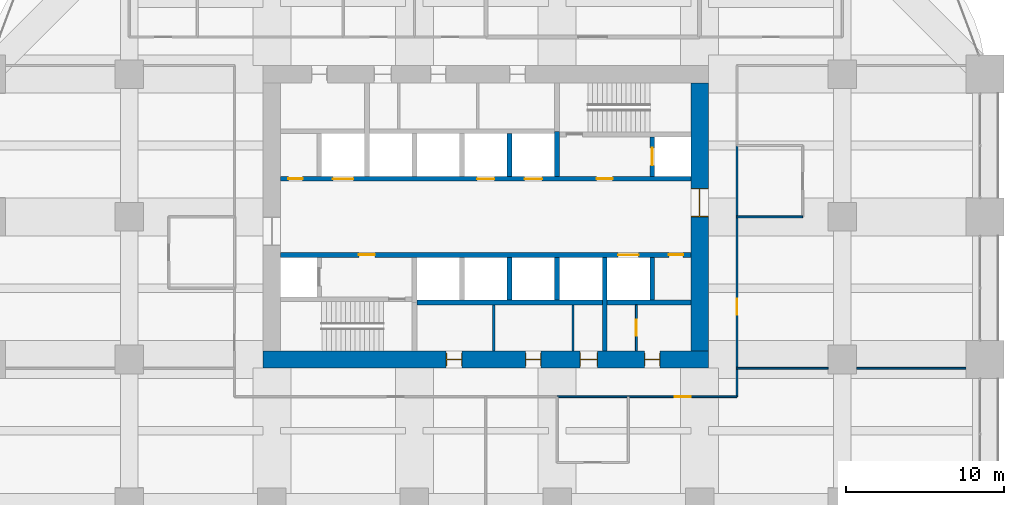
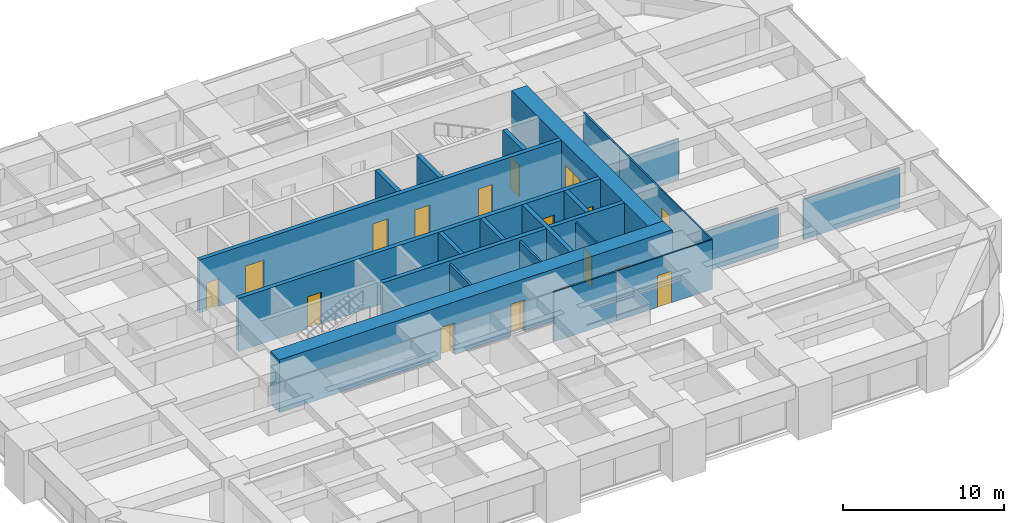
# One storey, part 39 of 42: 22 walls, 17 doors, 17 openings.
"""IFC4 building model written with IfcOpenShell, lengths in metres."""

import ifcopenshell
import ifcopenshell.guid

model = None  # the IFC model being written
_history = None  # IfcOwnerHistory: only IFC2X3 demands one
_inside = {}  # id of a spatial element -> (the spatial element, [elements in it])
_under = {}  # id of a project, library or spatial element -> (it, [spatial elements below it])
_declared = {}  # id of a project -> (the project, [libraries it declares])
_typed = {}  # id of a type object -> (the type object, [elements of that type])
_made_of = {}  # id of a material, layer set ... -> (it, [elements and type objects made of it])


def new_model(schema):
    """Start an empty IFC model of exactly this schema.

    Asked for "IFC4X3", IfcOpenShell would pick the latest addendum, in which some entities
    have other attributes; the version numbers below select the first issue.
    IFC2X3 requires an IfcOwnerHistory on every rooted entity: one is made here for all.
    """
    global model, _history
    if schema == "IFC4X3":
        model = ifcopenshell.file(schema_version=(4, 3, 0, 0))
    else:
        model = ifcopenshell.file(schema=schema)
    _inside.clear()
    _under.clear()
    _declared.clear()
    _typed.clear()
    _made_of.clear()
    _history = None
    if model.schema == "IFC2X3":
        org = make("IfcOrganization", Name="unknown")
        user = make(
            "IfcPersonAndOrganization",
            ThePerson=make("IfcPerson", FamilyName="unknown"),
            TheOrganization=org,
        )
        app = make(
            "IfcApplication",
            ApplicationDeveloper=org,
            Version="unknown",
            ApplicationFullName="unknown",
            ApplicationIdentifier="unknown",
        )
        _history = make(
            "IfcOwnerHistory",
            OwningUser=user,
            OwningApplication=app,
            ChangeAction="ADDED",
            CreationDate=0,
        )
    return model


def make(cls, **values):
    """One entity of the class cls with the attributes given. An attribute that is None is left unset."""
    return model.create_entity(
        cls, **{name: value for name, value in values.items() if value is not None}
    )


def rooted(cls, **values):
    """An entity with a GlobalId (a new one), such as an element, a storey or a relation."""
    return make(cls, GlobalId=ifcopenshell.guid.new(), OwnerHistory=_history, **values)


def si_unit(unit_type, name, prefix=None):
    """IfcSIUnit, for example si_unit("LENGTHUNIT", "METRE", prefix="MILLI")."""
    return make("IfcSIUnit", UnitType=unit_type, Prefix=prefix, Name=name)


def assignment(units):
    """IfcUnitAssignment: the units of a project."""
    return None if units is None else make("IfcUnitAssignment", Units=units)


def point(xyz):
    """IfcCartesianPoint."""
    return None if xyz is None else make("IfcCartesianPoint", Coordinates=xyz)


def direction(xyz):
    """IfcDirection."""
    return None if xyz is None else make("IfcDirection", DirectionRatios=xyz)


def frame(location, z_axis=None, x_axis=None):
    """IfcAxis2Placement3D, a coordinate frame: its origin and axes. An axis left out is left unset."""
    return make(
        "IfcAxis2Placement3D",
        Location=point(location),
        Axis=direction(z_axis),
        RefDirection=direction(x_axis),
    )


def frame_2d(location, x_axis=None):
    """IfcAxis2Placement2D, a coordinate frame in the plane: its origin and x axis."""
    return make(
        "IfcAxis2Placement2D", Location=point(location), RefDirection=direction(x_axis)
    )


def origin():
    """The frame at (0, 0, 0) with its axes left unset."""
    return frame((0.0, 0.0, 0.0))


def place(relative_to, where):
    """IfcLocalPlacement: puts the frame where relative to a parent placement (None: the world)."""
    return make(
        "IfcLocalPlacement", PlacementRelTo=relative_to, RelativePlacement=where
    )


def context(
    kind, dimensions, precision=None, world=None, true_north=None, identifier=None
):
    """IfcGeometricRepresentationContext, for example the 3D "Model" context."""
    return make(
        "IfcGeometricRepresentationContext",
        ContextIdentifier=identifier,
        ContextType=kind,
        CoordinateSpaceDimension=dimensions,
        Precision=precision,
        WorldCoordinateSystem=world,
        TrueNorth=true_north,
    )


def subcontext(parent, identifier, kind, view, scale=None):
    """IfcGeometricRepresentationSubContext, for example "Body" below "Model"."""
    return make(
        "IfcGeometricRepresentationSubContext",
        ContextIdentifier=identifier,
        ContextType=kind,
        ParentContext=parent,
        TargetScale=scale,
        TargetView=view,
    )


def project(units=None, contexts=None):
    """IfcProject with its units and contexts."""
    return rooted(
        "IfcProject",
        Name="project",
        RepresentationContexts=contexts,
        UnitsInContext=assignment(units),
    )


def spatial(cls, under=None, at=None, **own):
    """A site, building, storey or space (cls), placed at a placement, below another one or the project."""
    s = rooted(cls, ObjectPlacement=at, **own)
    if under is not None:
        _under.setdefault(under.id(), (under, []))[1].append(s)
    return s


def profile(cls, at=None, kind="AREA", **sizes):
    """A parametric profile (cls). Its sizes go by their IFC names, for example OverallWidth=200.0."""
    return make(cls, ProfileType=kind, Position=at, **sizes)


def rectangle(**sizes):
    """IfcRectangleProfileDef."""
    return profile("IfcRectangleProfileDef", **sizes)


def extrude(swept, where, along, depth):
    """IfcExtrudedAreaSolid: the profile swept, set in the frame where, extruded along a direction by depth."""
    return make(
        "IfcExtrudedAreaSolid",
        SweptArea=swept,
        Position=where,
        ExtrudedDirection=direction(along),
        Depth=depth,
    )


def shape(context_of_items, identifier, shape_type, items):
    """IfcShapeRepresentation: the items that make up one representation, for example the "Body"."""
    return make(
        "IfcShapeRepresentation",
        ContextOfItems=context_of_items,
        RepresentationIdentifier=identifier,
        RepresentationType=shape_type,
        Items=items,
    )


def material(Name=None, Category=None):
    """IfcMaterial."""
    return make("IfcMaterial", Name=Name, Category=Category)


def layer(
    of_material, thickness, ventilated=None, Name=None, Category=None, Priority=None
):
    """IfcMaterialLayer: one layer of a wall or slab, of a material (None: an air gap)."""
    return make(
        "IfcMaterialLayer",
        Material=of_material,
        LayerThickness=thickness,
        IsVentilated=ventilated,
        Name=Name,
        Category=Category,
        Priority=Priority,
    )


def layer_set(layers, Name=None):
    """IfcMaterialLayerSet."""
    return make("IfcMaterialLayerSet", MaterialLayers=layers, LayerSetName=Name)


def made_of(thing, what):
    """Note that an element or type object is made of a material, layer set ...; save() writes the relation."""
    if what is not None:
        _made_of.setdefault(what.id(), (what, []))[1].append(thing)
    return thing


def type_object(cls, material=None, **own):
    """A type object (cls), such as IfcWallType, which elements share."""
    return made_of(rooted(cls, **own), material)


def element(
    cls,
    number,
    at=None,
    inside=None,
    cuts=None,
    type_object=None,
    material=None,
    context=None,
    identifier="Body",
    shape_type=None,
    held_by="IfcProductDefinitionShape",
    body=None,
    shapes=None,
    **own,
):
    """One element of the class cls, such as IfcWall. Its Tag is "e" and its number.

    at: its placement. inside: the storey or other place that contains it. cuts: it is an
    opening in that element (IfcRelVoidsElement). A single representation is given by context,
    identifier, shape_type and body (its items); several are given by shapes. held_by: the class
    of the entity that holds the representations. save() writes the other relations.
    """
    e = rooted(cls, Tag="e%d" % number, ObjectPlacement=at, **own)
    if body is not None:
        shapes = [shape(context, identifier, shape_type, body)]
    if shapes is not None:
        e.Representation = make(held_by, Representations=shapes)
    if inside is not None:
        _inside.setdefault(inside.id(), (inside, []))[1].append(e)
    if cuts is not None:
        rooted(
            "IfcRelVoidsElement", RelatingBuildingElement=cuts, RelatedOpeningElement=e
        )
    if type_object is not None:
        _typed.setdefault(type_object.id(), (type_object, []))[1].append(e)
    return made_of(e, material)


def fill(opening, filler):
    """IfcRelFillsElement: the door or window that sits in an opening."""
    return rooted(
        "IfcRelFillsElement",
        RelatingOpeningElement=opening,
        RelatedBuildingElement=filler,
    )


def aggregate(whole, parts):
    """IfcRelAggregates: a whole, such as a stair, and the parts it consists of."""
    return rooted("IfcRelAggregates", RelatingObject=whole, RelatedObjects=parts)


def save(model, path):
    """Write the relations noted so far, then the file.

    IfcRelAggregates (storeys below a building ...), IfcRelContainedInSpatialStructure (elements
    in a storey), IfcRelDefinesByType, IfcRelAssociatesMaterial and IfcRelDeclares: one each for
    every whole, place, type object, material and project.
    """
    for whole, parts in _under.values():
        aggregate(whole, parts)
    for where, things in _inside.values():
        rooted(
            "IfcRelContainedInSpatialStructure",
            RelatedElements=things,
            RelatingStructure=where,
        )
    for kind, things in _typed.values():
        rooted("IfcRelDefinesByType", RelatedObjects=things, RelatingType=kind)
    for what, things in _made_of.values():
        rooted("IfcRelAssociatesMaterial", RelatedObjects=things, RelatingMaterial=what)
    for by, libraries in _declared.values():
        rooted("IfcRelDeclares", RelatingContext=by, RelatedDefinitions=libraries)
    model.write(path)


model = new_model("IFC4")

# Units and contexts
model_context = context("Model", 3, precision=1e-05, world=origin(), true_north=direction((0.0, 1.0)))
body_context = subcontext(model_context, "Body", "Model", "MODEL_VIEW")
ifc_project = project(units=[si_unit("LENGTHUNIT", "METRE"), si_unit("AREAUNIT", "SQUARE_METRE"), si_unit("VOLUMEUNIT", "CUBIC_METRE"), si_unit("PLANEANGLEUNIT", "RADIAN"), si_unit("MASSUNIT", "GRAM", prefix="KILO")], contexts=[model_context])

# Site, building, storey
site_placement = place(None, origin())
site = spatial("IfcSite", under=ifc_project, at=site_placement, CompositionType="ELEMENT")
building_placement = place(site_placement, origin())
building = spatial("IfcBuilding", under=site, at=building_placement, Name="Zorevar Civic Tower", CompositionType="ELEMENT")
storey_placement = place(building_placement, frame((0.0, 0.0, 149.0)))
storey = spatial("IfcBuildingStorey", under=building, at=storey_placement, Name="L36", CompositionType="ELEMENT", Elevation=149.0)

# Wall, openings, doors
ifc_material_1 = material(Name="Concrete C50/60", Category="concrete")
ifc_layer_1 = layer(ifc_material_1, 1.10009765625)
ifc_layer_set_1 = layer_set([ifc_layer_1], Name="Core wall 1100")
wall_type_1 = type_object("IfcWallType", Name="Core wall 1100", PredefinedType="SHEAR", material=ifc_layer_set_1)
wall_1_placement = place(storey_placement, frame((17.449951171875, 18.0, 0.0), z_axis=(0.0, 0.0, 1.0), x_axis=(1.0, 0.0, 0.0)))
wall_1 = element("IfcWall", 1, at=wall_1_placement, inside=storey, type_object=wall_type_1, Name="Core wall S L36", PredefinedType="SHEAR", context=body_context, shape_type="SweptSolid", body=[
    extrude(rectangle(XDim=28.10009765625, YDim=1.10009765625, at=frame_2d((14.050048828125, 0.0))), origin(), (0.0, 0.0, 1.0), 4.0),
])
opening_1_placement = place(wall_1_placement, frame((11.550048828125, 0.0, 0.0)))
opening_1 = element("IfcOpeningElement", 2, at=opening_1_placement, cuts=wall_1, Name="Opening L36.03", PredefinedType="OPENING", context=body_context, shape_type="SweptSolid", body=[
    extrude(rectangle(XDim=1.0, YDim=2.39990234375, at=frame_2d((0.5, 1.199951171875))), frame((0.0, 0.56005859375, 0.0), z_axis=(0.0, -1.0, 0.0), x_axis=(1.0, 0.0, 0.0)), (0.0, 0.0, 1.0), 1.1201171875),
])
opening_2_placement = place(wall_1_placement, frame((16.550048828125, 0.0, 0.0)))
opening_2 = element("IfcOpeningElement", 3, at=opening_2_placement, cuts=wall_1, Name="Opening L36.04", PredefinedType="OPENING", context=body_context, shape_type="SweptSolid", body=[
    extrude(rectangle(XDim=1.0, YDim=2.39990234375, at=frame_2d((0.5, 1.199951171875))), frame((0.0, 0.56005859375, 0.0), z_axis=(0.0, -1.0, 0.0), x_axis=(1.0, 0.0, 0.0)), (0.0, 0.0, 1.0), 1.1201171875),
])
opening_3_placement = place(wall_1_placement, frame((20.0, 0.0, 0.0)))
opening_3 = element("IfcOpeningElement", 4, at=opening_3_placement, cuts=wall_1, Name="Opening L36.05", PredefinedType="OPENING", context=body_context, shape_type="SweptSolid", body=[
    extrude(rectangle(XDim=1.10009765625, YDim=2.39990234375, at=frame_2d((0.550048828125, 1.199951171875))), frame((0.0, 0.56005859375, 0.0), z_axis=(0.0, -1.0, 0.0), x_axis=(1.0, 0.0, 0.0)), (0.0, 0.0, 1.0), 1.1201171875),
])
opening_4_placement = place(wall_1_placement, frame((24.050048828125, 0.0, 0.0)))
opening_4 = element("IfcOpeningElement", 5, at=opening_4_placement, cuts=wall_1, Name="Opening L36.06", PredefinedType="OPENING", context=body_context, shape_type="SweptSolid", body=[
    extrude(rectangle(XDim=1.0, YDim=2.39990234375, at=frame_2d((0.5, 1.199951171875))), frame((0.0, 0.56005859375, 0.0), z_axis=(0.0, -1.0, 0.0), x_axis=(1.0, 0.0, 0.0)), (0.0, 0.0, 1.0), 1.1201171875),
])
ifc_material_2 = material(Name="Timber door set", Category="wood")
door_type_1 = type_object("IfcDoorType", Name="Door D1 1000x2400", OperationType="SINGLE_SWING_LEFT", PredefinedType="DOOR", material=ifc_material_2)
door_1_placement = place(opening_1_placement, origin())
door_1 = element("IfcDoor", 6, at=door_1_placement, inside=storey, type_object=door_type_1, Name="Door L36 02", OperationType="SINGLE_SWING_RIGHT", OverallHeight=2.39990234375, OverallWidth=1.0, PredefinedType="DOOR", context=body_context, shape_type="SweptSolid", body=[
    extrude(rectangle(XDim=1.0, YDim=2.39990234375, at=frame_2d((0.5, 1.199951171875))), frame((0.0, 0.02490234375, 0.0), z_axis=(0.0, -1.0, 0.0), x_axis=(1.0, 0.0, 0.0)), (0.0, 0.0, 1.0), 0.050048828125),
    extrude(rectangle(XDim=0.04, YDim=2.39990234375, at=frame_2d((0.02001953125, 1.199951171875))), frame((0.0, 0.39990234375, 0.0), z_axis=(0.0, -1.0, 0.0), x_axis=(1.0, 0.0, 0.0)), (0.0, 0.0, 1.0), 0.800048828125),
    extrude(rectangle(XDim=0.04, YDim=2.39990234375, at=frame_2d((0.97998046875, 1.199951171875))), frame((0.0, 0.39990234375, 0.0), z_axis=(0.0, -1.0, 0.0), x_axis=(1.0, 0.0, 0.0)), (0.0, 0.0, 1.0), 0.800048828125),
    extrude(rectangle(XDim=1.0, YDim=0.04, at=frame_2d((0.5, 2.3798828125))), frame((0.0, 0.39990234375, 0.0), z_axis=(0.0, -1.0, 0.0), x_axis=(1.0, 0.0, 0.0)), (0.0, 0.0, 1.0), 0.800048828125),
])
fill(opening_1, door_1)
door_2_placement = place(opening_2_placement, origin())
door_2 = element("IfcDoor", 7, at=door_2_placement, inside=storey, type_object=door_type_1, Name="Door L36 03", OperationType="SINGLE_SWING_LEFT", OverallHeight=2.39990234375, OverallWidth=1.0, PredefinedType="DOOR", context=body_context, shape_type="SweptSolid", body=[
    extrude(rectangle(XDim=1.0, YDim=2.39990234375, at=frame_2d((0.5, 1.199951171875))), frame((0.0, 0.02490234375, 0.0), z_axis=(0.0, -1.0, 0.0), x_axis=(1.0, 0.0, 0.0)), (0.0, 0.0, 1.0), 0.050048828125),
    extrude(rectangle(XDim=0.04, YDim=2.39990234375, at=frame_2d((0.02001953125, 1.199951171875))), frame((0.0, 0.39990234375, 0.0), z_axis=(0.0, -1.0, 0.0), x_axis=(1.0, 0.0, 0.0)), (0.0, 0.0, 1.0), 0.800048828125),
    extrude(rectangle(XDim=0.04, YDim=2.39990234375, at=frame_2d((0.97998046875, 1.199951171875))), frame((0.0, 0.39990234375, 0.0), z_axis=(0.0, -1.0, 0.0), x_axis=(1.0, 0.0, 0.0)), (0.0, 0.0, 1.0), 0.800048828125),
    extrude(rectangle(XDim=1.0, YDim=0.04, at=frame_2d((0.5, 2.3798828125))), frame((0.0, 0.39990234375, 0.0), z_axis=(0.0, -1.0, 0.0), x_axis=(1.0, 0.0, 0.0)), (0.0, 0.0, 1.0), 0.800048828125),
])
fill(opening_2, door_2)
door_3_placement = place(opening_4_placement, origin())
door_3 = element("IfcDoor", 8, at=door_3_placement, inside=storey, type_object=door_type_1, Name="Door L36 05", OperationType="SINGLE_SWING_LEFT", OverallHeight=2.39990234375, OverallWidth=1.0, PredefinedType="DOOR", context=body_context, shape_type="SweptSolid", body=[
    extrude(rectangle(XDim=1.0, YDim=2.39990234375, at=frame_2d((0.5, 1.199951171875))), frame((0.0, 0.02490234375, 0.0), z_axis=(0.0, -1.0, 0.0), x_axis=(1.0, 0.0, 0.0)), (0.0, 0.0, 1.0), 0.050048828125),
    extrude(rectangle(XDim=0.04, YDim=2.39990234375, at=frame_2d((0.02001953125, 1.199951171875))), frame((0.0, 0.39990234375, 0.0), z_axis=(0.0, -1.0, 0.0), x_axis=(1.0, 0.0, 0.0)), (0.0, 0.0, 1.0), 0.800048828125),
    extrude(rectangle(XDim=0.04, YDim=2.39990234375, at=frame_2d((0.97998046875, 1.199951171875))), frame((0.0, 0.39990234375, 0.0), z_axis=(0.0, -1.0, 0.0), x_axis=(1.0, 0.0, 0.0)), (0.0, 0.0, 1.0), 0.800048828125),
    extrude(rectangle(XDim=1.0, YDim=0.04, at=frame_2d((0.5, 2.3798828125))), frame((0.0, 0.39990234375, 0.0), z_axis=(0.0, -1.0, 0.0), x_axis=(1.0, 0.0, 0.0)), (0.0, 0.0, 1.0), 0.800048828125),
])
fill(opening_4, door_3)
ifc_material_3 = material(Name="Timber door set", Category="wood")
door_type_2 = type_object("IfcDoorType", Name="Door D5 1100x2400", OperationType="SINGLE_SWING_LEFT", PredefinedType="DOOR", material=ifc_material_3)
door_4_placement = place(opening_3_placement, origin())
door_4 = element("IfcDoor", 9, at=door_4_placement, inside=storey, type_object=door_type_2, Name="Door L36 04", OperationType="SINGLE_SWING_LEFT", OverallHeight=2.39990234375, OverallWidth=1.10009765625, PredefinedType="DOOR", context=body_context, shape_type="SweptSolid", body=[
    extrude(rectangle(XDim=1.10009765625, YDim=2.39990234375, at=frame_2d((0.550048828125, 1.199951171875))), frame((0.0, 0.02490234375, 0.0), z_axis=(0.0, -1.0, 0.0), x_axis=(1.0, 0.0, 0.0)), (0.0, 0.0, 1.0), 0.050048828125),
    extrude(rectangle(XDim=0.04, YDim=2.39990234375, at=frame_2d((0.02001953125, 1.199951171875))), frame((0.0, 0.43994140625, 0.0), z_axis=(0.0, -1.0, 0.0), x_axis=(1.0, 0.0, 0.0)), (0.0, 0.0, 1.0), 0.880126953125),
    extrude(rectangle(XDim=0.04, YDim=2.39990234375, at=frame_2d((1.080078125, 1.199951171875))), frame((0.0, 0.43994140625, 0.0), z_axis=(0.0, -1.0, 0.0), x_axis=(1.0, 0.0, 0.0)), (0.0, 0.0, 1.0), 0.880126953125),
    extrude(rectangle(XDim=1.10009765625, YDim=0.04, at=frame_2d((0.550048828125, 2.3798828125))), frame((0.0, 0.43994140625, 0.0), z_axis=(0.0, -1.0, 0.0), x_axis=(1.0, 0.0, 0.0)), (0.0, 0.0, 1.0), 0.880126953125),
])
fill(opening_3, door_4)

# Wall, opening, door
wall_2_placement = place(storey_placement, frame((45.0, 18.550048828125, 0.0), z_axis=(0.0, 0.0, 1.0), x_axis=(0.0, 1.0, 0.0)))
wall_2 = element("IfcWall", 10, at=wall_2_placement, inside=storey, type_object=wall_type_1, Name="Core wall E L36", PredefinedType="SHEAR", context=body_context, shape_type="SweptSolid", body=[
    extrude(rectangle(XDim=16.89990234375, YDim=1.10009765625, at=frame_2d((8.449951171875, 0.0))), origin(), (0.0, 0.0, 1.0), 4.0),
])
opening_5_placement = place(wall_2_placement, frame((8.449951171875, 0.0, 0.0)))
opening_5 = element("IfcOpeningElement", 11, at=opening_5_placement, cuts=wall_2, Name="Opening L36.02", PredefinedType="OPENING", context=body_context, shape_type="SweptSolid", body=[
    extrude(rectangle(XDim=1.800048828125, YDim=2.39990234375, at=frame_2d((0.89990234375, 1.199951171875))), frame((0.0, 0.56005859375, 0.0), z_axis=(0.0, -1.0, 0.0), x_axis=(1.0, 0.0, 0.0)), (0.0, 0.0, 1.0), 1.1201171875),
])
ifc_material_4 = material(Name="Steel door set", Category="steel")
door_type_3 = type_object("IfcDoorType", Name="Fire door FD2 1800x2400", OperationType="DOUBLE_DOOR_DOUBLE_SWING", PredefinedType="DOOR", material=ifc_material_4)
door_5_placement = place(opening_5_placement, origin())
door_5 = element("IfcDoor", 12, at=door_5_placement, inside=storey, type_object=door_type_3, Name="Door L36 01", OperationType="DOUBLE_DOOR_DOUBLE_SWING", OverallHeight=2.39990234375, OverallWidth=1.800048828125, PredefinedType="DOOR", context=body_context, shape_type="SweptSolid", body=[
    extrude(rectangle(XDim=1.800048828125, YDim=2.39990234375, at=frame_2d((0.89990234375, 1.199951171875))), frame((0.0, 0.030029296875, 0.0), z_axis=(0.0, -1.0, 0.0), x_axis=(1.0, 0.0, 0.0)), (0.0, 0.0, 1.0), 0.06005859375),
    extrude(rectangle(XDim=0.04, YDim=2.39990234375, at=frame_2d((0.02001953125, 1.199951171875))), frame((0.0, 0.5498046875, 0.0), z_axis=(0.0, -1.0, 0.0), x_axis=(1.0, 0.0, 0.0)), (0.0, 0.0, 1.0), 1.099609375),
    extrude(rectangle(XDim=0.04, YDim=2.39990234375, at=frame_2d((1.780029296875, 1.199951171875))), frame((0.0, 0.5498046875, 0.0), z_axis=(0.0, -1.0, 0.0), x_axis=(1.0, 0.0, 0.0)), (0.0, 0.0, 1.0), 1.099609375),
    extrude(rectangle(XDim=1.800048828125, YDim=0.04, at=frame_2d((0.89990234375, 2.3798828125))), frame((0.0, 0.5498046875, 0.0), z_axis=(0.0, -1.0, 0.0), x_axis=(1.0, 0.0, 0.0)), (0.0, 0.0, 1.0), 1.099609375),
])
fill(opening_5, door_5)

ifc_material_5 = material(Name="Laminated glass in black aluminium frame", Category="aluminium")
ifc_layer_2 = layer(ifc_material_5, 0.10009765625)
ifc_layer_set_2 = layer_set([ifc_layer_2], Name="Glazed partition 100")
wall_type_2 = type_object("IfcWallType", Name="Glazed partition 100", PredefinedType="PARTITIONING", material=ifc_layer_set_2)
wall_3_placement = place(storey_placement, frame((40.5, 15.64990234375, 0.0), z_axis=(0.0, 0.0, 1.0), x_axis=(1.0, 0.0, 0.0)))
wall_3 = element("IfcWall", 13, at=wall_3_placement, inside=storey, type_object=wall_type_2, Name="Glazed partition 100 L36", PredefinedType="PARTITIONING", context=body_context, shape_type="SweptSolid", body=[
    extrude(rectangle(XDim=6.85009765625, YDim=0.10009765625, at=frame_2d((3.425048828125, 0.0))), origin(), (0.0, 0.0, 1.0), 3.75),
])
opening_6_placement = place(wall_3_placement, frame((2.925048828125, 0.0, 0.0)))
opening_6 = element("IfcOpeningElement", 14, at=opening_6_placement, cuts=wall_3, Name="Opening L36.23", PredefinedType="OPENING", context=body_context, shape_type="SweptSolid", body=[
    extrude(rectangle(XDim=1.0, YDim=2.39990234375, at=frame_2d((0.5, 1.199951171875))), frame((0.0, 0.06005859375, 0.0), z_axis=(0.0, -1.0, 0.0), x_axis=(1.0, 0.0, 0.0)), (0.0, 0.0, 1.0), 0.1201171875),
])
ifc_material_6 = material(Name="Timber door set", Category="wood")
door_type_4 = type_object("IfcDoorType", Name="Glazed door GD1 1000x2400", OperationType="SINGLE_SWING_LEFT", PredefinedType="DOOR", material=ifc_material_6)
door_6_placement = place(opening_6_placement, origin())
door_6 = element("IfcDoor", 15, at=door_6_placement, inside=storey, type_object=door_type_4, Name="Door L36 D1", OperationType="SINGLE_SWING_LEFT", OverallHeight=2.39990234375, OverallWidth=1.0, PredefinedType="DOOR", context=body_context, shape_type="SweptSolid", body=[
    extrude(rectangle(XDim=1.0, YDim=2.39990234375, at=frame_2d((0.5, 1.199951171875))), frame((0.0, 0.02001953125, 0.0), z_axis=(0.0, -1.0, 0.0), x_axis=(1.0, 0.0, 0.0)), (0.0, 0.0, 1.0), 0.0400390625),
])
fill(opening_6, door_6)

# Walls
wall_4_placement = place(storey_placement, frame((47.35009765625, 17.449951171875, 0.0), z_axis=(0.0, 0.0, 1.0), x_axis=(1.0, 0.0, 0.0)))
element("IfcWall", 16, at=wall_4_placement, inside=storey, type_object=wall_type_2, Name="Glazed partition 100 L36", PredefinedType="PARTITIONING", context=body_context, shape_type="SweptSolid", body=[
    extrude(rectangle(XDim=5.75, YDim=0.10009765625, at=frame_2d((2.875, 0.0))), origin(), (0.0, 0.0, 1.0), 3.050048828125),
])
wall_5_placement = place(storey_placement, frame((54.89990234375, 17.449951171875, 0.0), z_axis=(0.0, 0.0, 1.0), x_axis=(1.0, 0.0, 0.0)))
element("IfcWall", 17, at=wall_5_placement, inside=storey, type_object=wall_type_2, Name="Glazed partition 100 L36", PredefinedType="PARTITIONING", context=body_context, shape_type="SweptSolid", body=[
    extrude(rectangle(XDim=6.900146484375, YDim=0.10009765625, at=frame_2d((3.4501953125, 0.0))), origin(), (0.0, 0.0, 1.0), 3.050048828125),
])

# Wall, opening, door
wall_6_placement = place(storey_placement, frame((47.35009765625, 15.64990234375, 0.0), z_axis=(0.0, 0.0, 1.0), x_axis=(0.0, 1.0, 0.0)))
wall_6 = element("IfcWall", 18, at=wall_6_placement, inside=storey, type_object=wall_type_2, Name="Glazed partition 100 L36", PredefinedType="PARTITIONING", context=body_context, shape_type="SweptSolid", body=[
    extrude(rectangle(XDim=11.35009765625, YDim=0.10009765625, at=frame_2d((5.675048828125, 0.0))), origin(), (0.0, 0.0, 1.0), 3.75),
])
opening_7_placement = place(wall_6_placement, frame((5.175048828125, 0.0, 0.0)))
opening_7 = element("IfcOpeningElement", 19, at=opening_7_placement, cuts=wall_6, Name="Opening L36.33", PredefinedType="OPENING", context=body_context, shape_type="SweptSolid", body=[
    extrude(rectangle(XDim=1.0, YDim=2.39990234375, at=frame_2d((0.5, 1.199951171875))), frame((0.0, 0.06005859375, 0.0), z_axis=(0.0, -1.0, 0.0), x_axis=(1.0, 0.0, 0.0)), (0.0, 0.0, 1.0), 0.1201171875),
])
door_7_placement = place(opening_7_placement, origin())
door_7 = element("IfcDoor", 20, at=door_7_placement, inside=storey, type_object=door_type_4, Name="Door L36 D1", OperationType="SINGLE_SWING_LEFT", OverallHeight=2.39990234375, OverallWidth=1.0, PredefinedType="DOOR", context=body_context, shape_type="SweptSolid", body=[
    extrude(rectangle(XDim=1.0, YDim=2.39990234375, at=frame_2d((0.5, 1.199951171875))), frame((0.0, 0.02001953125, 0.0), z_axis=(0.0, -1.0, 0.0), x_axis=(1.0, 0.0, 0.0)), (0.0, 0.0, 1.0), 0.0400390625),
])
fill(opening_7, door_7)

ifc_material_7 = material(Name="Concrete C40/50", Category="concrete")
ifc_layer_3 = layer(ifc_material_7, 0.300048828125)
ifc_layer_set_3 = layer_set([ifc_layer_3], Name="Inner core wall 300")
wall_type_3 = type_object("IfcWallType", Name="Inner core wall 300", PredefinedType="SHEAR", material=ifc_layer_set_3)
wall_7_placement = place(storey_placement, frame((42.0, 29.550048828125, 0.0), z_axis=(0.0, 0.0, 1.0), x_axis=(0.0, 1.0, 0.0)))
wall_7 = element("IfcWall", 21, at=wall_7_placement, inside=storey, type_object=wall_type_3, Name="Inner core wall N02 L36", PredefinedType="SHEAR", context=body_context, shape_type="SweptSolid", body=[
    extrude(rectangle(XDim=2.5, YDim=0.300048828125, at=frame_2d((1.25, 0.0))), origin(), (0.0, 0.0, 1.0), 4.0),
])
opening_8_placement = place(wall_7_placement, frame((0.699951171875, 0.0, 0.0)))
opening_8 = element("IfcOpeningElement", 22, at=opening_8_placement, cuts=wall_7, Name="Opening L36.FL2", PredefinedType="OPENING", context=body_context, shape_type="SweptSolid", body=[
    extrude(rectangle(XDim=1.10009765625, YDim=2.39990234375, at=frame_2d((0.550048828125, 1.199951171875))), frame((0.0, 0.159912109375, 0.0), z_axis=(0.0, -1.0, 0.0), x_axis=(1.0, 0.0, 0.0)), (0.0, 0.0, 1.0), 0.320068359375),
])
ifc_material_8 = material(Name="Steel door set", Category="steel")
door_type_5 = type_object("IfcDoorType", Name="Firefighting lift landing door LD3 1100x2400", OperationType="DOUBLE_DOOR_SLIDING", PredefinedType="DOOR", material=ifc_material_8)
door_8_placement = place(opening_8_placement, origin())
door_8 = element("IfcDoor", 23, at=door_8_placement, inside=storey, type_object=door_type_5, Name="Landing door FL2 L36", OperationType="DOUBLE_DOOR_SLIDING", OverallHeight=2.39990234375, OverallWidth=1.10009765625, PredefinedType="DOOR", context=body_context, shape_type="SweptSolid", body=[
    extrude(rectangle(XDim=1.10009765625, YDim=2.39990234375, at=frame_2d((0.550048828125, 1.199951171875))), frame((0.0, 0.030029296875, 0.0), z_axis=(0.0, -1.0, 0.0), x_axis=(1.0, 0.0, 0.0)), (0.0, 0.0, 1.0), 0.06005859375),
])
fill(opening_8, door_8)

# Wall, openings, doors
wall_8_placement = place(storey_placement, frame((18.550048828125, 24.60009765625, 0.0), z_axis=(0.0, 0.0, 1.0), x_axis=(1.0, 0.0, 0.0)))
wall_8 = element("IfcWall", 24, at=wall_8_placement, inside=storey, type_object=wall_type_3, Name="Inner core wall S03 L36", PredefinedType="SHEAR", context=body_context, shape_type="SweptSolid", body=[
    extrude(rectangle(XDim=25.89990234375, YDim=0.300048828125, at=frame_2d((12.949951171875, 0.0))), origin(), (0.0, 0.0, 1.0), 4.0),
])
opening_9_placement = place(wall_8_placement, frame((4.949951171875, 0.0, 0.0)))
opening_9 = element("IfcOpeningElement", 25, at=opening_9_placement, cuts=wall_8, Name="Opening L36.13", PredefinedType="OPENING", context=body_context, shape_type="SweptSolid", body=[
    extrude(rectangle(XDim=1.0, YDim=2.39990234375, at=frame_2d((0.5, 1.199951171875))), frame((0.0, 0.159912109375, 0.0), z_axis=(0.0, -1.0, 0.0), x_axis=(1.0, 0.0, 0.0)), (0.0, 0.0, 1.0), 0.320068359375),
])
opening_10_placement = place(wall_8_placement, frame((24.5, 0.0, 0.0)))
opening_10 = element("IfcOpeningElement", 26, at=opening_10_placement, cuts=wall_8, Name="Opening L36.15", PredefinedType="OPENING", context=body_context, shape_type="SweptSolid", body=[
    extrude(rectangle(XDim=0.89990234375, YDim=2.10009765625, at=frame_2d((0.449951171875, 1.050048828125))), frame((0.0, 0.159912109375, 0.0), z_axis=(0.0, -1.0, 0.0), x_axis=(1.0, 0.0, 0.0)), (0.0, 0.0, 1.0), 0.320068359375),
])
opening_11_placement = place(wall_8_placement, frame((21.300048828125, 0.0, 0.0)))
opening_11 = element("IfcOpeningElement", 27, at=opening_11_placement, cuts=wall_8, Name="Opening L36.SL1", PredefinedType="OPENING", context=body_context, shape_type="SweptSolid", body=[
    extrude(rectangle(XDim=1.300048828125, YDim=2.39990234375, at=frame_2d((0.64990234375, 1.199951171875))), frame((0.0, 0.159912109375, 0.0), z_axis=(0.0, -1.0, 0.0), x_axis=(1.0, 0.0, 0.0)), (0.0, 0.0, 1.0), 0.320068359375),
])
ifc_material_9 = material(Name="Steel door set", Category="steel")
door_type_6 = type_object("IfcDoorType", Name="Fire door FD1 1000x2400", OperationType="SINGLE_SWING_LEFT", PredefinedType="DOOR", material=ifc_material_9)
door_9_placement = place(opening_9_placement, origin())
door_9 = element("IfcDoor", 28, at=door_9_placement, inside=storey, type_object=door_type_6, Name="Door L36 12", OperationType="SINGLE_SWING_RIGHT", OverallHeight=2.39990234375, OverallWidth=1.0, PredefinedType="DOOR", context=body_context, shape_type="SweptSolid", body=[
    extrude(rectangle(XDim=1.0, YDim=2.39990234375, at=frame_2d((0.5, 1.199951171875))), frame((0.0, 0.030029296875, 0.0), z_axis=(0.0, -1.0, 0.0), x_axis=(1.0, 0.0, 0.0)), (0.0, 0.0, 1.0), 0.06005859375),
])
fill(opening_9, door_9)
ifc_material_10 = material(Name="Steel door set", Category="steel")
door_type_7 = type_object("IfcDoorType", Name="Landing door LD2 1300x2400", OperationType="DOUBLE_DOOR_SLIDING", PredefinedType="DOOR", material=ifc_material_10)
door_10_placement = place(opening_11_placement, origin())
door_10 = element("IfcDoor", 29, at=door_10_placement, inside=storey, type_object=door_type_7, Name="Landing door SL1 L36", OperationType="DOUBLE_DOOR_SLIDING", OverallHeight=2.39990234375, OverallWidth=1.300048828125, PredefinedType="DOOR", context=body_context, shape_type="SweptSolid", body=[
    extrude(rectangle(XDim=1.300048828125, YDim=2.39990234375, at=frame_2d((0.64990234375, 1.199951171875))), frame((0.0, 0.02001953125, 0.0), z_axis=(0.0, -1.0, 0.0), x_axis=(1.0, 0.0, 0.0)), (0.0, 0.0, 1.0), 0.0400390625),
])
fill(opening_11, door_10)
ifc_material_11 = material(Name="Steel door set", Category="steel")
door_type_8 = type_object("IfcDoorType", Name="Riser door RD1 900x2100", OperationType="SINGLE_SWING_LEFT", PredefinedType="DOOR", material=ifc_material_11)
door_11_placement = place(opening_10_placement, origin())
door_11 = element("IfcDoor", 30, at=door_11_placement, inside=storey, type_object=door_type_8, Name="Door L36 14", OperationType="SINGLE_SWING_RIGHT", OverallHeight=2.10009765625, OverallWidth=0.89990234375, PredefinedType="DOOR", context=body_context, shape_type="SweptSolid", body=[
    extrude(rectangle(XDim=0.89990234375, YDim=2.10009765625, at=frame_2d((0.449951171875, 1.050048828125))), frame((0.0, 0.030029296875, 0.0), z_axis=(0.0, -1.0, 0.0), x_axis=(1.0, 0.0, 0.0)), (0.0, 0.0, 1.0), 0.06005859375),
])
fill(opening_10, door_11)

wall_9_placement = place(storey_placement, frame((18.550048828125, 29.39990234375, 0.0), z_axis=(0.0, 0.0, 1.0), x_axis=(1.0, 0.0, 0.0)))
wall_9 = element("IfcWall", 31, at=wall_9_placement, inside=storey, type_object=wall_type_3, Name="Inner core wall N03 L36", PredefinedType="SHEAR", context=body_context, shape_type="SweptSolid", body=[
    extrude(rectangle(XDim=25.89990234375, YDim=0.300048828125, at=frame_2d((12.949951171875, 0.0))), origin(), (0.0, 0.0, 1.0), 4.0),
])
opening_12_placement = place(wall_9_placement, frame((19.949951171875, 0.0, 0.0)))
opening_12 = element("IfcOpeningElement", 32, at=opening_12_placement, cuts=wall_9, Name="Opening L36.14", PredefinedType="OPENING", context=body_context, shape_type="SweptSolid", body=[
    extrude(rectangle(XDim=1.0, YDim=2.39990234375, at=frame_2d((0.5, 1.199951171875))), frame((0.0, 0.159912109375, 0.0), z_axis=(0.0, -1.0, 0.0), x_axis=(1.0, 0.0, 0.0)), (0.0, 0.0, 1.0), 0.320068359375),
])
opening_13_placement = place(wall_9_placement, frame((0.5, 0.0, 0.0)))
opening_13 = element("IfcOpeningElement", 33, at=opening_13_placement, cuts=wall_9, Name="Opening L36.16", PredefinedType="OPENING", context=body_context, shape_type="SweptSolid", body=[
    extrude(rectangle(XDim=0.89990234375, YDim=2.10009765625, at=frame_2d((0.449951171875, 1.050048828125))), frame((0.0, 0.159912109375, 0.0), z_axis=(0.0, -1.0, 0.0), x_axis=(1.0, 0.0, 0.0)), (0.0, 0.0, 1.0), 0.320068359375),
])
opening_14_placement = place(wall_9_placement, frame((15.39990234375, 0.0, 0.0)))
opening_14 = element("IfcOpeningElement", 34, at=opening_14_placement, cuts=wall_9, Name="Opening L36.LM1", PredefinedType="OPENING", context=body_context, shape_type="SweptSolid", body=[
    extrude(rectangle(XDim=1.10009765625, YDim=2.39990234375, at=frame_2d((0.550048828125, 1.199951171875))), frame((0.0, 0.159912109375, 0.0), z_axis=(0.0, -1.0, 0.0), x_axis=(1.0, 0.0, 0.0)), (0.0, 0.0, 1.0), 0.320068359375),
])
opening_15_placement = place(wall_9_placement, frame((12.39990234375, 0.0, 0.0)))
opening_15 = element("IfcOpeningElement", 35, at=opening_15_placement, cuts=wall_9, Name="Opening L36.LM2", PredefinedType="OPENING", context=body_context, shape_type="SweptSolid", body=[
    extrude(rectangle(XDim=1.10009765625, YDim=2.39990234375, at=frame_2d((0.550048828125, 1.199951171875))), frame((0.0, 0.159912109375, 0.0), z_axis=(0.0, -1.0, 0.0), x_axis=(1.0, 0.0, 0.0)), (0.0, 0.0, 1.0), 0.320068359375),
])
opening_16_placement = place(wall_9_placement, frame((3.300048828125, 0.0, 0.0)))
opening_16 = element("IfcOpeningElement", 36, at=opening_16_placement, cuts=wall_9, Name="Opening L36.SL2", PredefinedType="OPENING", context=body_context, shape_type="SweptSolid", body=[
    extrude(rectangle(XDim=1.300048828125, YDim=2.39990234375, at=frame_2d((0.64990234375, 1.199951171875))), frame((0.0, 0.159912109375, 0.0), z_axis=(0.0, -1.0, 0.0), x_axis=(1.0, 0.0, 0.0)), (0.0, 0.0, 1.0), 0.320068359375),
])
door_12_placement = place(opening_12_placement, origin())
door_12 = element("IfcDoor", 37, at=door_12_placement, inside=storey, type_object=door_type_6, Name="Door L36 13", OperationType="SINGLE_SWING_RIGHT", OverallHeight=2.39990234375, OverallWidth=1.0, PredefinedType="DOOR", context=body_context, shape_type="SweptSolid", body=[
    extrude(rectangle(XDim=1.0, YDim=2.39990234375, at=frame_2d((0.5, 1.199951171875))), frame((0.0, 0.030029296875, 0.0), z_axis=(0.0, -1.0, 0.0), x_axis=(1.0, 0.0, 0.0)), (0.0, 0.0, 1.0), 0.06005859375),
])
fill(opening_12, door_12)
ifc_material_12 = material(Name="Steel door set", Category="steel")
door_type_9 = type_object("IfcDoorType", Name="Landing door LD1 1100x2400", OperationType="DOUBLE_DOOR_SLIDING", PredefinedType="DOOR", material=ifc_material_12)
door_13_placement = place(opening_14_placement, origin())
door_13 = element("IfcDoor", 38, at=door_13_placement, inside=storey, type_object=door_type_9, Name="Landing door LM1 L36", OperationType="DOUBLE_DOOR_SLIDING", OverallHeight=2.39990234375, OverallWidth=1.10009765625, PredefinedType="DOOR", context=body_context, shape_type="SweptSolid", body=[
    extrude(rectangle(XDim=1.10009765625, YDim=2.39990234375, at=frame_2d((0.550048828125, 1.199951171875))), frame((0.0, 0.02001953125, 0.0), z_axis=(0.0, -1.0, 0.0), x_axis=(1.0, 0.0, 0.0)), (0.0, 0.0, 1.0), 0.0400390625),
])
fill(opening_14, door_13)
door_14_placement = place(opening_15_placement, origin())
door_14 = element("IfcDoor", 39, at=door_14_placement, inside=storey, type_object=door_type_9, Name="Landing door LM2 L36", OperationType="DOUBLE_DOOR_SLIDING", OverallHeight=2.39990234375, OverallWidth=1.10009765625, PredefinedType="DOOR", context=body_context, shape_type="SweptSolid", body=[
    extrude(rectangle(XDim=1.10009765625, YDim=2.39990234375, at=frame_2d((0.550048828125, 1.199951171875))), frame((0.0, 0.02001953125, 0.0), z_axis=(0.0, -1.0, 0.0), x_axis=(1.0, 0.0, 0.0)), (0.0, 0.0, 1.0), 0.0400390625),
])
fill(opening_15, door_14)
door_15_placement = place(opening_16_placement, origin())
door_15 = element("IfcDoor", 40, at=door_15_placement, inside=storey, type_object=door_type_7, Name="Landing door SL2 L36", OperationType="DOUBLE_DOOR_SLIDING", OverallHeight=2.39990234375, OverallWidth=1.300048828125, PredefinedType="DOOR", context=body_context, shape_type="SweptSolid", body=[
    extrude(rectangle(XDim=1.300048828125, YDim=2.39990234375, at=frame_2d((0.64990234375, 1.199951171875))), frame((0.0, 0.02001953125, 0.0), z_axis=(0.0, -1.0, 0.0), x_axis=(1.0, 0.0, 0.0)), (0.0, 0.0, 1.0), 0.0400390625),
])
fill(opening_16, door_15)
door_16_placement = place(opening_13_placement, origin())
door_16 = element("IfcDoor", 41, at=door_16_placement, inside=storey, type_object=door_type_8, Name="Door L36 15", OperationType="SINGLE_SWING_RIGHT", OverallHeight=2.10009765625, OverallWidth=0.89990234375, PredefinedType="DOOR", context=body_context, shape_type="SweptSolid", body=[
    extrude(rectangle(XDim=0.89990234375, YDim=2.10009765625, at=frame_2d((0.449951171875, 1.050048828125))), frame((0.0, 0.030029296875, 0.0), z_axis=(0.0, -1.0, 0.0), x_axis=(1.0, 0.0, 0.0)), (0.0, 0.0, 1.0), 0.06005859375),
])
fill(opening_13, door_16)

# Walls
wall_10_placement = place(storey_placement, frame((27.14990234375, 21.60009765625, 0.0), z_axis=(0.0, 0.0, 1.0), x_axis=(1.0, 0.0, 0.0)))
element("IfcWall", 42, at=wall_10_placement, inside=storey, type_object=wall_type_3, Name="Inner core wall S04 L36", PredefinedType="SHEAR", context=body_context, shape_type="SweptSolid", body=[
    extrude(rectangle(XDim=17.300048828125, YDim=0.300048828125, at=frame_2d((8.64990234375, 0.0))), origin(), (0.0, 0.0, 1.0), 4.0),
])
for number, where, z_axis, x_axis, name in (
    (43, (33.0, 29.550048828125, 0.0), (0.0, 0.0, 1.0), (0.0, 1.0, 0.0), "Inner core wall N05 L36"),
    (44, (33.0, 21.75, 0.0), (0.0, 0.0, 1.0), (0.0, 1.0, 0.0), "Inner core wall S06 L36"),
    (45, (36.0, 21.75, 0.0), (0.0, 0.0, 1.0), (0.0, 1.0, 0.0), "Inner core wall S07 L36"),
):
    element("IfcWall", number, at=place(storey_placement, frame(where, z_axis=z_axis, x_axis=x_axis)), inside=storey, type_object=wall_type_3, Name=name, PredefinedType="SHEAR", context=body_context, shape_type="SweptSolid", body=[
        extrude(rectangle(XDim=2.699951171875, YDim=0.300048828125, at=frame_2d((1.35009765625, 0.0))), origin(), (0.0, 0.0, 1.0), 4.0),
    ])
wall_11_placement = place(storey_placement, frame((39.0, 18.550048828125, 0.0), z_axis=(0.0, 0.0, 1.0), x_axis=(0.0, 1.0, 0.0)))
element("IfcWall", 46, at=wall_11_placement, inside=storey, type_object=wall_type_3, Name="Inner core wall S08 L36", PredefinedType="SHEAR", context=body_context, shape_type="SweptSolid", body=[
    extrude(rectangle(XDim=5.89990234375, YDim=0.300048828125, at=frame_2d((2.949951171875, 0.0))), origin(), (0.0, 0.0, 1.0), 4.0),
])
wall_12_placement = place(storey_placement, frame((42.0, 21.75, 0.0), z_axis=(0.0, 0.0, 1.0), x_axis=(0.0, 1.0, 0.0)))
element("IfcWall", 47, at=wall_12_placement, inside=storey, type_object=wall_type_3, Name="Inner core wall S09 L36", PredefinedType="SHEAR", context=body_context, shape_type="SweptSolid", body=[
    extrude(rectangle(XDim=2.699951171875, YDim=0.300048828125, at=frame_2d((1.35009765625, 0.0))), origin(), (0.0, 0.0, 1.0), 4.0),
])
wall_13_placement = place(storey_placement, frame((36.0, 29.550048828125, 0.0), z_axis=(0.0, 0.0, 1.0), x_axis=(0.0, 1.0, 0.0)))
element("IfcWall", 48, at=wall_13_placement, inside=storey, type_object=wall_type_3, Name="Inner core wall N10 L36", PredefinedType="SHEAR", context=body_context, shape_type="SweptSolid", body=[
    extrude(rectangle(XDim=2.849853515625, YDim=0.300048828125, at=frame_2d((1.4248046875, 0.0))), origin(), (0.0, 0.0, 1.0), 4.0),
])
ifc_material_13 = material(Name="Gypsum board on steel studs", Category="steel")
ifc_layer_4 = layer(ifc_material_13, 0.1201171875)
ifc_layer_set_4 = layer_set([ifc_layer_4], Name="Partition 120")
wall_type_4 = type_object("IfcWallType", Name="Partition 120", PredefinedType="PARTITIONING", material=ifc_layer_set_4)
wall_14_placement = place(storey_placement, frame((36.0, 15.64990234375, 0.0), z_axis=(0.0, 0.0, 1.0), x_axis=(1.0, 0.0, 0.0)))
element("IfcWall", 49, at=wall_14_placement, inside=storey, type_object=wall_type_4, Name="Partition 120 L36", PredefinedType="PARTITIONING", context=body_context, shape_type="SweptSolid", body=[
    extrude(rectangle(XDim=4.5, YDim=0.1201171875, at=frame_2d((2.25, 0.0))), origin(), (0.0, 0.0, 1.0), 3.75),
])
wall_15_placement = place(storey_placement, frame((47.35009765625, 27.0, 0.0), z_axis=(0.0, 0.0, 1.0), x_axis=(1.0, 0.0, 0.0)))
element("IfcWall", 50, at=wall_15_placement, inside=storey, type_object=wall_type_4, Name="Partition 120 L36", PredefinedType="PARTITIONING", context=body_context, shape_type="SweptSolid", body=[
    extrude(rectangle(XDim=4.14990234375, YDim=0.1201171875, at=frame_2d((2.074951171875, 0.0))), origin(), (0.0, 0.0, 1.0), 3.050048828125),
])
wall_16_placement = place(storey_placement, frame((47.35009765625, 27.0, 0.0), z_axis=(0.0, 0.0, 1.0), x_axis=(0.0, 1.0, 0.0)))
element("IfcWall", 51, at=wall_16_placement, inside=storey, type_object=wall_type_4, Name="Partition 120 L36", PredefinedType="PARTITIONING", context=body_context, shape_type="SweptSolid", body=[
    extrude(rectangle(XDim=4.5, YDim=0.1201171875, at=frame_2d((2.25, 0.0))), origin(), (0.0, 0.0, 1.0), 3.75),
])

# Wall, opening, door
wall_17_placement = place(storey_placement, frame((41.0, 18.550048828125, 0.0), z_axis=(0.0, 0.0, 1.0), x_axis=(0.0, 1.0, 0.0)))
wall_17 = element("IfcWall", 52, at=wall_17_placement, inside=storey, type_object=wall_type_4, Name="Partition L36", PredefinedType="PARTITIONING", context=body_context, shape_type="SweptSolid", body=[
    extrude(rectangle(XDim=2.89990234375, YDim=0.1201171875, at=frame_2d((1.449951171875, 0.0))), origin(), (0.0, 0.0, 1.0), 3.75),
])
opening_17_placement = place(wall_17_placement, frame((0.949951171875, 0.0, 0.0)))
opening_17 = element("IfcOpeningElement", 53, at=opening_17_placement, cuts=wall_17, Name="Opening L36.35", PredefinedType="OPENING", context=body_context, shape_type="SweptSolid", body=[
    extrude(rectangle(XDim=1.0, YDim=2.39990234375, at=frame_2d((0.5, 1.199951171875))), frame((0.0, 0.070068359375, 0.0), z_axis=(0.0, -1.0, 0.0), x_axis=(1.0, 0.0, 0.0)), (0.0, 0.0, 1.0), 0.14013671875),
])
door_17_placement = place(opening_17_placement, origin())
door_17 = element("IfcDoor", 54, at=door_17_placement, inside=storey, type_object=door_type_6, Name="Door L36 ES", OperationType="SINGLE_SWING_LEFT", OverallHeight=2.39990234375, OverallWidth=1.0, PredefinedType="DOOR", context=body_context, shape_type="SweptSolid", body=[
    extrude(rectangle(XDim=1.0, YDim=2.39990234375, at=frame_2d((0.5, 1.199951171875))), frame((0.0, 0.030029296875, 0.0), z_axis=(0.0, -1.0, 0.0), x_axis=(1.0, 0.0, 0.0)), (0.0, 0.0, 1.0), 0.06005859375),
])
fill(opening_17, door_17)

# Walls
ifc_material_14 = material(Name="Gypsum board on steel studs, moisture resistant", Category="steel")
ifc_layer_5 = layer(ifc_material_14, 0.14990234375)
ifc_layer_set_5 = layer_set([ifc_layer_5], Name="WC partition 150")
wall_type_5 = type_object("IfcWallType", Name="WC partition 150", PredefinedType="PARTITIONING", material=ifc_layer_set_5)
for number, where, z_axis, x_axis, name in (
    (55, (32.0, 18.550048828125, 0.0), (0.0, 0.0, 1.0), (0.0, 1.0, 0.0), "WC partition L36"),
    (56, (37.0, 18.550048828125, 0.0), (0.0, 0.0, 1.0), (0.0, 1.0, 0.0), "WC partition L36"),
):
    element("IfcWall", number, at=place(storey_placement, frame(where, z_axis=z_axis, x_axis=x_axis)), inside=storey, type_object=wall_type_5, Name=name, PredefinedType="PARTITIONING", context=body_context, shape_type="SweptSolid", body=[
        extrude(rectangle(XDim=2.89990234375, YDim=0.14990234375, at=frame_2d((1.449951171875, 0.0))), origin(), (0.0, 0.0, 1.0), 3.75),
    ])

save(model, "model.ifc")
